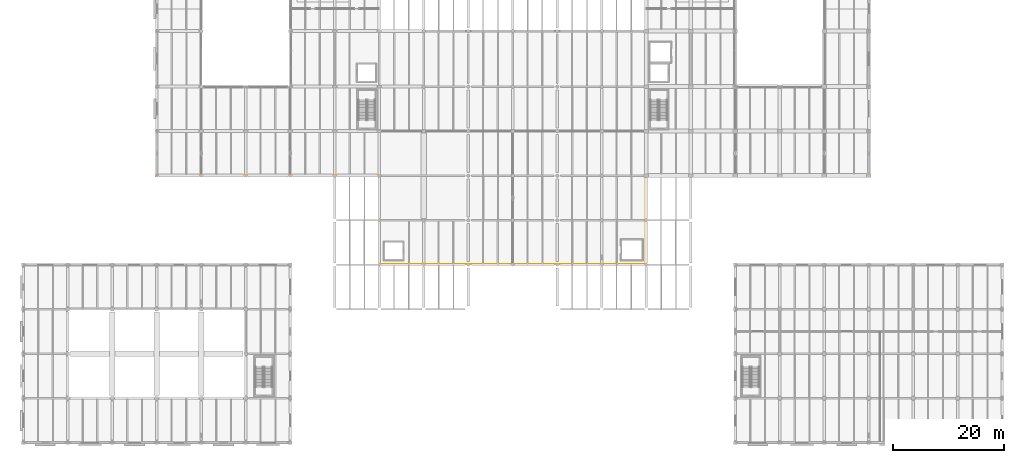
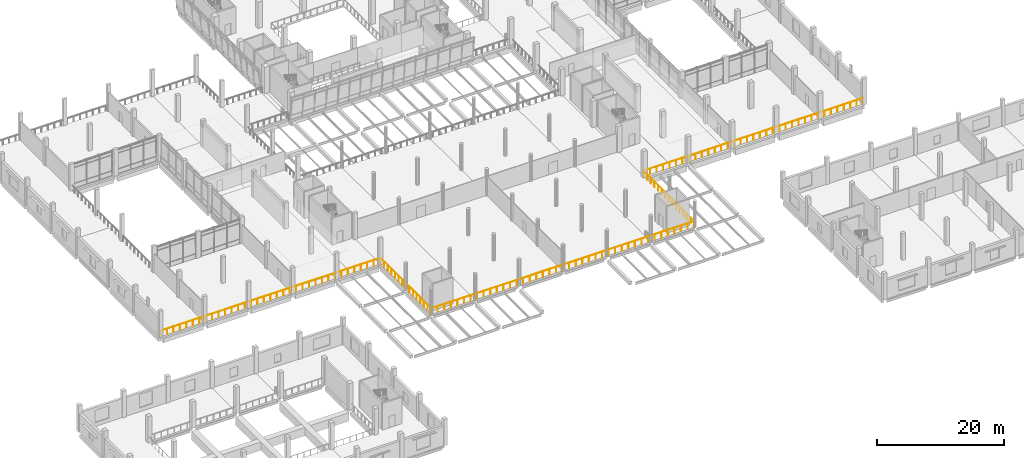
# One storey, part 47 of 61: 1 railing.
"""IFC4 building model written with IfcOpenShell, lengths in metres."""

from ifc_helpers import new_model, si_unit, direction, frame, origin, origin_2d, place, context, subcontext, project, spatial, circle, extrude, material, type_object, element, save


model = new_model("IFC4")

# Units and contexts
model_context = context("Model", 3, precision=1e-05, world=origin(), true_north=direction((0.0, 1.0)))
body_context = subcontext(model_context, "Body", "Model", "MODEL_VIEW")
ifc_project = project(units=[si_unit("LENGTHUNIT", "METRE"), si_unit("AREAUNIT", "SQUARE_METRE"), si_unit("VOLUMEUNIT", "CUBIC_METRE"), si_unit("PLANEANGLEUNIT", "RADIAN"), si_unit("MASSUNIT", "GRAM", prefix="KILO")], contexts=[model_context])

# Site, building, storey
site_placement = place(None, origin())
site = spatial("IfcSite", under=ifc_project, at=site_placement, CompositionType="ELEMENT")
building_placement = place(site_placement, origin())
building = spatial("IfcBuilding", under=site, at=building_placement, Name="Pecanmere Concourse Central Library", CompositionType="ELEMENT")
storey_placement = place(building_placement, frame((0.0, 0.0, 5.39990234375)))
storey = spatial("IfcBuildingStorey", under=building, at=storey_placement, Name="L02", CompositionType="ELEMENT", Elevation=5.39990234375)

# Railing
ifc_material = material(Name="Architectural anodized bronze")
railing_type = type_object("IfcRailingType", Name="RAIL_ATRIUM_BAL", PredefinedType="BALUSTRADE", material=ifc_material)
railing_placement = place(storey_placement, frame((151.929931640625, 48.294921875, 0.0)))
element("IfcRailing", 1, at=railing_placement, inside=storey, type_object=railing_type, Name="Deck Edge Protective Balustrade L02-056", PredefinedType="BALUSTRADE", context=body_context, shape_type="SweptSolid", body=[
    extrude(circle(Radius=0.02392578125, at=origin_2d()), frame((0.0, 0.0, 1.09619140625), z_axis=(0.0, -1.0, 0.0), x_axis=(1.0, 0.0, 0.0)), (0.0, 0.0, 1.0), 0.224609375),
    extrude(circle(Radius=0.02392578125, at=origin_2d()), frame((0.0, -0.224609375, 1.09619140625), z_axis=(-0.999999999832, -1.8344136e-05, 0.0), x_axis=(1.8344136e-05, -0.999999999832, 0.0)), (0.0, 0.0, 1.0), 39.9267578125),
    extrude(circle(Radius=0.02392578125, at=origin_2d()), frame((-39.9267578125, -0.225341796875, 1.09619140625), z_axis=(-0.806311430369, -0.591491231767, 0.0), x_axis=(0.591491231767, -0.806311430369, 0.0)), (0.0, 0.0, 1.0), 0.0830078125),
    extrude(circle(Radius=0.02392578125, at=origin_2d()), frame((-39.99365234375, -0.2744140625, 1.09619140625), z_axis=(-0.000397967274, -0.999999920811, 0.0), x_axis=(0.999999920811, -0.000397967274, 0.0)), (0.0, 0.0, 1.0), 15.9501953125),
    extrude(circle(Radius=0.02392578125, at=origin_2d()), frame((-40.0, -16.224609375, 1.09619140625), z_axis=(-0.999999999987, -5.101182e-06, 0.0), x_axis=(5.101182e-06, -0.999999999987, 0.0)), (0.0, 0.0, 1.0), 47.859619140625),
    extrude(circle(Radius=0.02392578125, at=origin_2d()), frame((-87.859619140625, -16.224853515625, 1.09619140625), z_axis=(-4.5986878e-05, 0.999999998943, 0.0), x_axis=(-0.999999998943, -4.5986878e-05, 0.0)), (0.0, 0.0, 1.0), 15.9267578125),
    extrude(circle(Radius=0.02392578125, at=origin_2d()), frame((-87.8603515625, -0.298095703125, 1.09619140625), z_axis=(-0.591491231767, 0.806311430369, 0.0), x_axis=(-0.806311430369, -0.591491231767, 0.0)), (0.0, 0.0, 1.0), 0.0830078125),
    extrude(circle(Radius=0.02392578125, at=origin_2d()), frame((-87.909423828125, -0.231201171875, 1.09619140625), z_axis=(-0.999999987377, 0.000158888269, 0.0), x_axis=(-0.000158888269, -0.999999987377, 0.0)), (0.0, 0.0, 1.0), 39.950439453125),
    extrude(circle(Radius=0.02099609375, at=origin_2d()), origin(), (0.0, 0.0, 1.0), 1.072021484375),
    extrude(circle(Radius=0.02099609375, at=origin_2d()), frame((0.0, -0.224609375, 0.0)), (0.0, 0.0, 1.0), 1.072021484375),
    extrude(circle(Radius=0.02099609375, at=origin_2d()), frame((-1.17431640625, -0.224609375, 0.0)), (0.0, 0.0, 1.0), 1.072021484375),
    extrude(circle(Radius=0.02099609375, at=origin_2d()), frame((-2.3486328125, -0.224609375, 0.0)), (0.0, 0.0, 1.0), 1.072021484375),
    extrude(circle(Radius=0.02099609375, at=origin_2d()), frame((-3.52294921875, -0.224609375, 0.0)), (0.0, 0.0, 1.0), 1.072021484375),
    extrude(circle(Radius=0.02099609375, at=origin_2d()), frame((-4.697265625, -0.224609375, 0.0)), (0.0, 0.0, 1.0), 1.072021484375),
    extrude(circle(Radius=0.02099609375, at=origin_2d()), frame((-5.87158203125, -0.224609375, 0.0)), (0.0, 0.0, 1.0), 1.072021484375),
    extrude(circle(Radius=0.02099609375, at=origin_2d()), frame((-7.0458984375, -0.224853515625, 0.0)), (0.0, 0.0, 1.0), 1.072021484375),
    extrude(circle(Radius=0.02099609375, at=origin_2d()), frame((-8.22021484375, -0.224853515625, 0.0)), (0.0, 0.0, 1.0), 1.072021484375),
    extrude(circle(Radius=0.02099609375, at=origin_2d()), frame((-9.39453125, -0.224853515625, 0.0)), (0.0, 0.0, 1.0), 1.072021484375),
    extrude(circle(Radius=0.02099609375, at=origin_2d()), frame((-10.56884765625, -0.224853515625, 0.0)), (0.0, 0.0, 1.0), 1.072021484375),
    extrude(circle(Radius=0.02099609375, at=origin_2d()), frame((-11.7431640625, -0.224853515625, 0.0)), (0.0, 0.0, 1.0), 1.072021484375),
    extrude(circle(Radius=0.02099609375, at=origin_2d()), frame((-12.91748046875, -0.224853515625, 0.0)), (0.0, 0.0, 1.0), 1.072021484375),
    extrude(circle(Radius=0.02099609375, at=origin_2d()), frame((-14.091796875, -0.224853515625, 0.0)), (0.0, 0.0, 1.0), 1.072021484375),
    extrude(circle(Radius=0.02099609375, at=origin_2d()), frame((-15.26611328125, -0.224853515625, 0.0)), (0.0, 0.0, 1.0), 1.072021484375),
    extrude(circle(Radius=0.02099609375, at=origin_2d()), frame((-16.4404296875, -0.224853515625, 0.0)), (0.0, 0.0, 1.0), 1.072021484375),
    extrude(circle(Radius=0.02099609375, at=origin_2d()), frame((-17.61474609375, -0.224853515625, 0.0)), (0.0, 0.0, 1.0), 1.072021484375),
    extrude(circle(Radius=0.02099609375, at=origin_2d()), frame((-18.7890625, -0.224853515625, 0.0)), (0.0, 0.0, 1.0), 1.072021484375),
    extrude(circle(Radius=0.02099609375, at=origin_2d()), frame((-19.96337890625, -0.22509765625, 0.0)), (0.0, 0.0, 1.0), 1.072021484375),
    extrude(circle(Radius=0.02099609375, at=origin_2d()), frame((-21.1376953125, -0.22509765625, 0.0)), (0.0, 0.0, 1.0), 1.072021484375),
    extrude(circle(Radius=0.02099609375, at=origin_2d()), frame((-22.31201171875, -0.22509765625, 0.0)), (0.0, 0.0, 1.0), 1.072021484375),
    extrude(circle(Radius=0.02099609375, at=origin_2d()), frame((-23.486328125, -0.22509765625, 0.0)), (0.0, 0.0, 1.0), 1.072021484375),
    extrude(circle(Radius=0.02099609375, at=origin_2d()), frame((-24.66064453125, -0.22509765625, 0.0)), (0.0, 0.0, 1.0), 1.072021484375),
    extrude(circle(Radius=0.02099609375, at=origin_2d()), frame((-25.8349609375, -0.22509765625, 0.0)), (0.0, 0.0, 1.0), 1.072021484375),
    extrude(circle(Radius=0.02099609375, at=origin_2d()), frame((-27.00927734375, -0.22509765625, 0.0)), (0.0, 0.0, 1.0), 1.072021484375),
    extrude(circle(Radius=0.02099609375, at=origin_2d()), frame((-28.18359375, -0.22509765625, 0.0)), (0.0, 0.0, 1.0), 1.072021484375),
    extrude(circle(Radius=0.02099609375, at=origin_2d()), frame((-29.35791015625, -0.22509765625, 0.0)), (0.0, 0.0, 1.0), 1.072021484375),
    extrude(circle(Radius=0.02099609375, at=origin_2d()), frame((-30.5322265625, -0.22509765625, 0.0)), (0.0, 0.0, 1.0), 1.072021484375),
    extrude(circle(Radius=0.02099609375, at=origin_2d()), frame((-31.70654296875, -0.22509765625, 0.0)), (0.0, 0.0, 1.0), 1.072021484375),
    extrude(circle(Radius=0.02099609375, at=origin_2d()), frame((-32.880859375, -0.22509765625, 0.0)), (0.0, 0.0, 1.0), 1.072021484375),
    extrude(circle(Radius=0.02099609375, at=origin_2d()), frame((-34.05517578125, -0.225341796875, 0.0)), (0.0, 0.0, 1.0), 1.072021484375),
    extrude(circle(Radius=0.02099609375, at=origin_2d()), frame((-35.2294921875, -0.225341796875, 0.0)), (0.0, 0.0, 1.0), 1.072021484375),
    extrude(circle(Radius=0.02099609375, at=origin_2d()), frame((-36.40380859375, -0.225341796875, 0.0)), (0.0, 0.0, 1.0), 1.072021484375),
    extrude(circle(Radius=0.02099609375, at=origin_2d()), frame((-37.578125, -0.225341796875, 0.0)), (0.0, 0.0, 1.0), 1.072021484375),
    extrude(circle(Radius=0.02099609375, at=origin_2d()), frame((-38.75244140625, -0.225341796875, 0.0)), (0.0, 0.0, 1.0), 1.072021484375),
    extrude(circle(Radius=0.02099609375, at=origin_2d()), frame((-39.9267578125, -0.225341796875, 0.0)), (0.0, 0.0, 1.0), 1.072021484375),
    extrude(circle(Radius=0.02099609375, at=origin_2d()), frame((-39.99365234375, -0.2744140625, 0.0)), (0.0, 0.0, 1.0), 1.072021484375),
    extrude(circle(Radius=0.02099609375, at=origin_2d()), frame((-39.994140625, -1.413818359375, 0.0)), (0.0, 0.0, 1.0), 1.072021484375),
    extrude(circle(Radius=0.02099609375, at=origin_2d()), frame((-39.99462890625, -2.552978515625, 0.0)), (0.0, 0.0, 1.0), 1.072021484375),
    extrude(circle(Radius=0.02099609375, at=origin_2d()), frame((-39.9951171875, -3.6923828125, 0.0)), (0.0, 0.0, 1.0), 1.072021484375),
    extrude(circle(Radius=0.02099609375, at=origin_2d()), frame((-39.995361328125, -4.83154296875, 0.0)), (0.0, 0.0, 1.0), 1.072021484375),
    extrude(circle(Radius=0.02099609375, at=origin_2d()), frame((-39.995849609375, -5.970947265625, 0.0)), (0.0, 0.0, 1.0), 1.072021484375),
    extrude(circle(Radius=0.02099609375, at=origin_2d()), frame((-39.996337890625, -7.110107421875, 0.0)), (0.0, 0.0, 1.0), 1.072021484375),
    extrude(circle(Radius=0.02099609375, at=origin_2d()), frame((-39.996826171875, -8.24951171875, 0.0)), (0.0, 0.0, 1.0), 1.072021484375),
    extrude(circle(Radius=0.02099609375, at=origin_2d()), frame((-39.997314453125, -9.388916015625, 0.0)), (0.0, 0.0, 1.0), 1.072021484375),
    extrude(circle(Radius=0.02099609375, at=origin_2d()), frame((-39.997802734375, -10.528076171875, 0.0)), (0.0, 0.0, 1.0), 1.072021484375),
    extrude(circle(Radius=0.02099609375, at=origin_2d()), frame((-39.998291015625, -11.66748046875, 0.0)), (0.0, 0.0, 1.0), 1.072021484375),
    extrude(circle(Radius=0.02099609375, at=origin_2d()), frame((-39.99853515625, -12.806640625, 0.0)), (0.0, 0.0, 1.0), 1.072021484375),
    extrude(circle(Radius=0.02099609375, at=origin_2d()), frame((-39.9990234375, -13.946044921875, 0.0)), (0.0, 0.0, 1.0), 1.072021484375),
    extrude(circle(Radius=0.02099609375, at=origin_2d()), frame((-39.99951171875, -15.085205078125, 0.0)), (0.0, 0.0, 1.0), 1.072021484375),
    extrude(circle(Radius=0.02099609375, at=origin_2d()), frame((-40.0, -16.224609375, 0.0)), (0.0, 0.0, 1.0), 1.072021484375),
    extrude(circle(Radius=0.02099609375, at=origin_2d()), frame((-41.196533203125, -16.224609375, 0.0)), (0.0, 0.0, 1.0), 1.072021484375),
    extrude(circle(Radius=0.02099609375, at=origin_2d()), frame((-42.39306640625, -16.224609375, 0.0)), (0.0, 0.0, 1.0), 1.072021484375),
    extrude(circle(Radius=0.02099609375, at=origin_2d()), frame((-43.58935546875, -16.224609375, 0.0)), (0.0, 0.0, 1.0), 1.072021484375),
    extrude(circle(Radius=0.02099609375, at=origin_2d()), frame((-44.785888671875, -16.224609375, 0.0)), (0.0, 0.0, 1.0), 1.072021484375),
    extrude(circle(Radius=0.02099609375, at=origin_2d()), frame((-45.982421875, -16.224609375, 0.0)), (0.0, 0.0, 1.0), 1.072021484375),
    extrude(circle(Radius=0.02099609375, at=origin_2d()), frame((-47.178955078125, -16.224609375, 0.0)), (0.0, 0.0, 1.0), 1.072021484375),
    extrude(circle(Radius=0.02099609375, at=origin_2d()), frame((-48.37548828125, -16.224609375, 0.0)), (0.0, 0.0, 1.0), 1.072021484375),
    extrude(circle(Radius=0.02099609375, at=origin_2d()), frame((-49.572021484375, -16.224609375, 0.0)), (0.0, 0.0, 1.0), 1.072021484375),
    extrude(circle(Radius=0.02099609375, at=origin_2d()), frame((-50.768310546875, -16.224609375, 0.0)), (0.0, 0.0, 1.0), 1.072021484375),
    extrude(circle(Radius=0.02099609375, at=origin_2d()), frame((-51.96484375, -16.224609375, 0.0)), (0.0, 0.0, 1.0), 1.072021484375),
    extrude(circle(Radius=0.02099609375, at=origin_2d()), frame((-53.161376953125, -16.224609375, 0.0)), (0.0, 0.0, 1.0), 1.072021484375),
    extrude(circle(Radius=0.02099609375, at=origin_2d()), frame((-54.35791015625, -16.224609375, 0.0)), (0.0, 0.0, 1.0), 1.072021484375),
    extrude(circle(Radius=0.02099609375, at=origin_2d()), frame((-55.554443359375, -16.224609375, 0.0)), (0.0, 0.0, 1.0), 1.072021484375),
    extrude(circle(Radius=0.02099609375, at=origin_2d()), frame((-56.7509765625, -16.224609375, 0.0)), (0.0, 0.0, 1.0), 1.072021484375),
    extrude(circle(Radius=0.02099609375, at=origin_2d()), frame((-57.947265625, -16.224609375, 0.0)), (0.0, 0.0, 1.0), 1.072021484375),
    extrude(circle(Radius=0.02099609375, at=origin_2d()), frame((-59.143798828125, -16.224609375, 0.0)), (0.0, 0.0, 1.0), 1.072021484375),
    extrude(circle(Radius=0.02099609375, at=origin_2d()), frame((-60.34033203125, -16.224609375, 0.0)), (0.0, 0.0, 1.0), 1.072021484375),
    extrude(circle(Radius=0.02099609375, at=origin_2d()), frame((-61.536865234375, -16.224609375, 0.0)), (0.0, 0.0, 1.0), 1.072021484375),
    extrude(circle(Radius=0.02099609375, at=origin_2d()), frame((-62.7333984375, -16.224609375, 0.0)), (0.0, 0.0, 1.0), 1.072021484375),
    extrude(circle(Radius=0.02099609375, at=origin_2d()), frame((-63.9296875, -16.224609375, 0.0)), (0.0, 0.0, 1.0), 1.072021484375),
    extrude(circle(Radius=0.02099609375, at=origin_2d()), frame((-65.126220703125, -16.224853515625, 0.0)), (0.0, 0.0, 1.0), 1.072021484375),
    extrude(circle(Radius=0.02099609375, at=origin_2d()), frame((-66.32275390625, -16.224853515625, 0.0)), (0.0, 0.0, 1.0), 1.072021484375),
    extrude(circle(Radius=0.02099609375, at=origin_2d()), frame((-67.519287109375, -16.224853515625, 0.0)), (0.0, 0.0, 1.0), 1.072021484375),
    extrude(circle(Radius=0.02099609375, at=origin_2d()), frame((-68.7158203125, -16.224853515625, 0.0)), (0.0, 0.0, 1.0), 1.072021484375),
    extrude(circle(Radius=0.02099609375, at=origin_2d()), frame((-69.912353515625, -16.224853515625, 0.0)), (0.0, 0.0, 1.0), 1.072021484375),
    extrude(circle(Radius=0.02099609375, at=origin_2d()), frame((-71.108642578125, -16.224853515625, 0.0)), (0.0, 0.0, 1.0), 1.072021484375),
    extrude(circle(Radius=0.02099609375, at=origin_2d()), frame((-72.30517578125, -16.224853515625, 0.0)), (0.0, 0.0, 1.0), 1.072021484375),
    extrude(circle(Radius=0.02099609375, at=origin_2d()), frame((-73.501708984375, -16.224853515625, 0.0)), (0.0, 0.0, 1.0), 1.072021484375),
    extrude(circle(Radius=0.02099609375, at=origin_2d()), frame((-74.6982421875, -16.224853515625, 0.0)), (0.0, 0.0, 1.0), 1.072021484375),
    extrude(circle(Radius=0.02099609375, at=origin_2d()), frame((-75.894775390625, -16.224853515625, 0.0)), (0.0, 0.0, 1.0), 1.072021484375),
    extrude(circle(Radius=0.02099609375, at=origin_2d()), frame((-77.09130859375, -16.224853515625, 0.0)), (0.0, 0.0, 1.0), 1.072021484375),
    extrude(circle(Radius=0.02099609375, at=origin_2d()), frame((-78.28759765625, -16.224853515625, 0.0)), (0.0, 0.0, 1.0), 1.072021484375),
    extrude(circle(Radius=0.02099609375, at=origin_2d()), frame((-79.484130859375, -16.224853515625, 0.0)), (0.0, 0.0, 1.0), 1.072021484375),
    extrude(circle(Radius=0.02099609375, at=origin_2d()), frame((-80.6806640625, -16.224853515625, 0.0)), (0.0, 0.0, 1.0), 1.072021484375),
    extrude(circle(Radius=0.02099609375, at=origin_2d()), frame((-81.877197265625, -16.224853515625, 0.0)), (0.0, 0.0, 1.0), 1.072021484375),
    extrude(circle(Radius=0.02099609375, at=origin_2d()), frame((-83.07373046875, -16.224853515625, 0.0)), (0.0, 0.0, 1.0), 1.072021484375),
    extrude(circle(Radius=0.02099609375, at=origin_2d()), frame((-84.270263671875, -16.224853515625, 0.0)), (0.0, 0.0, 1.0), 1.072021484375),
    extrude(circle(Radius=0.02099609375, at=origin_2d()), frame((-85.466552734375, -16.224853515625, 0.0)), (0.0, 0.0, 1.0), 1.072021484375),
    extrude(circle(Radius=0.02099609375, at=origin_2d()), frame((-86.6630859375, -16.224853515625, 0.0)), (0.0, 0.0, 1.0), 1.072021484375),
    extrude(circle(Radius=0.02099609375, at=origin_2d()), frame((-87.859619140625, -16.224853515625, 0.0)), (0.0, 0.0, 1.0), 1.072021484375),
    extrude(circle(Radius=0.02099609375, at=origin_2d()), frame((-87.859619140625, -15.087158203125, 0.0)), (0.0, 0.0, 1.0), 1.072021484375),
    extrude(circle(Radius=0.02099609375, at=origin_2d()), frame((-87.859619140625, -13.94970703125, 0.0)), (0.0, 0.0, 1.0), 1.072021484375),
    extrude(circle(Radius=0.02099609375, at=origin_2d()), frame((-87.85986328125, -12.81201171875, 0.0)), (0.0, 0.0, 1.0), 1.072021484375),
    extrude(circle(Radius=0.02099609375, at=origin_2d()), frame((-87.85986328125, -11.67431640625, 0.0)), (0.0, 0.0, 1.0), 1.072021484375),
    extrude(circle(Radius=0.02099609375, at=origin_2d()), frame((-87.85986328125, -10.53662109375, 0.0)), (0.0, 0.0, 1.0), 1.072021484375),
    extrude(circle(Radius=0.02099609375, at=origin_2d()), frame((-87.85986328125, -9.399169921875, 0.0)), (0.0, 0.0, 1.0), 1.072021484375),
    extrude(circle(Radius=0.02099609375, at=origin_2d()), frame((-87.85986328125, -8.261474609375, 0.0)), (0.0, 0.0, 1.0), 1.072021484375),
    extrude(circle(Radius=0.02099609375, at=origin_2d()), frame((-87.860107421875, -7.123779296875, 0.0)), (0.0, 0.0, 1.0), 1.072021484375),
    extrude(circle(Radius=0.02099609375, at=origin_2d()), frame((-87.860107421875, -5.986328125, 0.0)), (0.0, 0.0, 1.0), 1.072021484375),
    extrude(circle(Radius=0.02099609375, at=origin_2d()), frame((-87.860107421875, -4.8486328125, 0.0)), (0.0, 0.0, 1.0), 1.072021484375),
    extrude(circle(Radius=0.02099609375, at=origin_2d()), frame((-87.860107421875, -3.7109375, 0.0)), (0.0, 0.0, 1.0), 1.072021484375),
    extrude(circle(Radius=0.02099609375, at=origin_2d()), frame((-87.8603515625, -2.5732421875, 0.0)), (0.0, 0.0, 1.0), 1.072021484375),
    extrude(circle(Radius=0.02099609375, at=origin_2d()), frame((-87.8603515625, -1.435791015625, 0.0)), (0.0, 0.0, 1.0), 1.072021484375),
    extrude(circle(Radius=0.02099609375, at=origin_2d()), frame((-87.8603515625, -0.298095703125, 0.0)), (0.0, 0.0, 1.0), 1.072021484375),
    extrude(circle(Radius=0.02099609375, at=origin_2d()), frame((-87.909423828125, -0.231201171875, 0.0)), (0.0, 0.0, 1.0), 1.072021484375),
    extrude(circle(Radius=0.02099609375, at=origin_2d()), frame((-89.08447265625, -0.23095703125, 0.0)), (0.0, 0.0, 1.0), 1.072021484375),
    extrude(circle(Radius=0.02099609375, at=origin_2d()), frame((-90.259521484375, -0.230712890625, 0.0)), (0.0, 0.0, 1.0), 1.072021484375),
    extrude(circle(Radius=0.02099609375, at=origin_2d()), frame((-91.4345703125, -0.230712890625, 0.0)), (0.0, 0.0, 1.0), 1.072021484375),
    extrude(circle(Radius=0.02099609375, at=origin_2d()), frame((-92.609375, -0.23046875, 0.0)), (0.0, 0.0, 1.0), 1.072021484375),
    extrude(circle(Radius=0.02099609375, at=origin_2d()), frame((-93.784423828125, -0.230224609375, 0.0)), (0.0, 0.0, 1.0), 1.072021484375),
    extrude(circle(Radius=0.02099609375, at=origin_2d()), frame((-94.95947265625, -0.22998046875, 0.0)), (0.0, 0.0, 1.0), 1.072021484375),
    extrude(circle(Radius=0.02099609375, at=origin_2d()), frame((-96.134521484375, -0.22998046875, 0.0)), (0.0, 0.0, 1.0), 1.072021484375),
    extrude(circle(Radius=0.02099609375, at=origin_2d()), frame((-97.3095703125, -0.229736328125, 0.0)), (0.0, 0.0, 1.0), 1.072021484375),
    extrude(circle(Radius=0.02099609375, at=origin_2d()), frame((-98.484619140625, -0.2294921875, 0.0)), (0.0, 0.0, 1.0), 1.072021484375),
    extrude(circle(Radius=0.02099609375, at=origin_2d()), frame((-99.65966796875, -0.229248046875, 0.0)), (0.0, 0.0, 1.0), 1.072021484375),
    extrude(circle(Radius=0.02099609375, at=origin_2d()), frame((-100.83447265625, -0.229248046875, 0.0)), (0.0, 0.0, 1.0), 1.072021484375),
    extrude(circle(Radius=0.02099609375, at=origin_2d()), frame((-102.009521484375, -0.22900390625, 0.0)), (0.0, 0.0, 1.0), 1.072021484375),
    extrude(circle(Radius=0.02099609375, at=origin_2d()), frame((-103.1845703125, -0.228759765625, 0.0)), (0.0, 0.0, 1.0), 1.072021484375),
    extrude(circle(Radius=0.02099609375, at=origin_2d()), frame((-104.359619140625, -0.228515625, 0.0)), (0.0, 0.0, 1.0), 1.072021484375),
    extrude(circle(Radius=0.02099609375, at=origin_2d()), frame((-105.53466796875, -0.228515625, 0.0)), (0.0, 0.0, 1.0), 1.072021484375),
    extrude(circle(Radius=0.02099609375, at=origin_2d()), frame((-106.709716796875, -0.228271484375, 0.0)), (0.0, 0.0, 1.0), 1.072021484375),
    extrude(circle(Radius=0.02099609375, at=origin_2d()), frame((-107.884765625, -0.22802734375, 0.0)), (0.0, 0.0, 1.0), 1.072021484375),
    extrude(circle(Radius=0.02099609375, at=origin_2d()), frame((-109.0595703125, -0.227783203125, 0.0)), (0.0, 0.0, 1.0), 1.072021484375),
    extrude(circle(Radius=0.02099609375, at=origin_2d()), frame((-110.234619140625, -0.2275390625, 0.0)), (0.0, 0.0, 1.0), 1.072021484375),
    extrude(circle(Radius=0.02099609375, at=origin_2d()), frame((-111.40966796875, -0.2275390625, 0.0)), (0.0, 0.0, 1.0), 1.072021484375),
    extrude(circle(Radius=0.02099609375, at=origin_2d()), frame((-112.584716796875, -0.227294921875, 0.0)), (0.0, 0.0, 1.0), 1.072021484375),
    extrude(circle(Radius=0.02099609375, at=origin_2d()), frame((-113.759765625, -0.22705078125, 0.0)), (0.0, 0.0, 1.0), 1.072021484375),
    extrude(circle(Radius=0.02099609375, at=origin_2d()), frame((-114.934814453125, -0.226806640625, 0.0)), (0.0, 0.0, 1.0), 1.072021484375),
    extrude(circle(Radius=0.02099609375, at=origin_2d()), frame((-116.109619140625, -0.226806640625, 0.0)), (0.0, 0.0, 1.0), 1.072021484375),
    extrude(circle(Radius=0.02099609375, at=origin_2d()), frame((-117.28466796875, -0.2265625, 0.0)), (0.0, 0.0, 1.0), 1.072021484375),
    extrude(circle(Radius=0.02099609375, at=origin_2d()), frame((-118.459716796875, -0.226318359375, 0.0)), (0.0, 0.0, 1.0), 1.072021484375),
    extrude(circle(Radius=0.02099609375, at=origin_2d()), frame((-119.634765625, -0.22607421875, 0.0)), (0.0, 0.0, 1.0), 1.072021484375),
    extrude(circle(Radius=0.02099609375, at=origin_2d()), frame((-120.809814453125, -0.22607421875, 0.0)), (0.0, 0.0, 1.0), 1.072021484375),
    extrude(circle(Radius=0.02099609375, at=origin_2d()), frame((-121.98486328125, -0.225830078125, 0.0)), (0.0, 0.0, 1.0), 1.072021484375),
    extrude(circle(Radius=0.02099609375, at=origin_2d()), frame((-123.159912109375, -0.2255859375, 0.0)), (0.0, 0.0, 1.0), 1.072021484375),
    extrude(circle(Radius=0.02099609375, at=origin_2d()), frame((-124.334716796875, -0.225341796875, 0.0)), (0.0, 0.0, 1.0), 1.072021484375),
    extrude(circle(Radius=0.02099609375, at=origin_2d()), frame((-125.509765625, -0.225341796875, 0.0)), (0.0, 0.0, 1.0), 1.072021484375),
    extrude(circle(Radius=0.02099609375, at=origin_2d()), frame((-126.684814453125, -0.22509765625, 0.0)), (0.0, 0.0, 1.0), 1.072021484375),
    extrude(circle(Radius=0.02099609375, at=origin_2d()), frame((-127.85986328125, -0.224853515625, 0.0)), (0.0, 0.0, 1.0), 1.072021484375),
])

save(model, "model.ifc")
